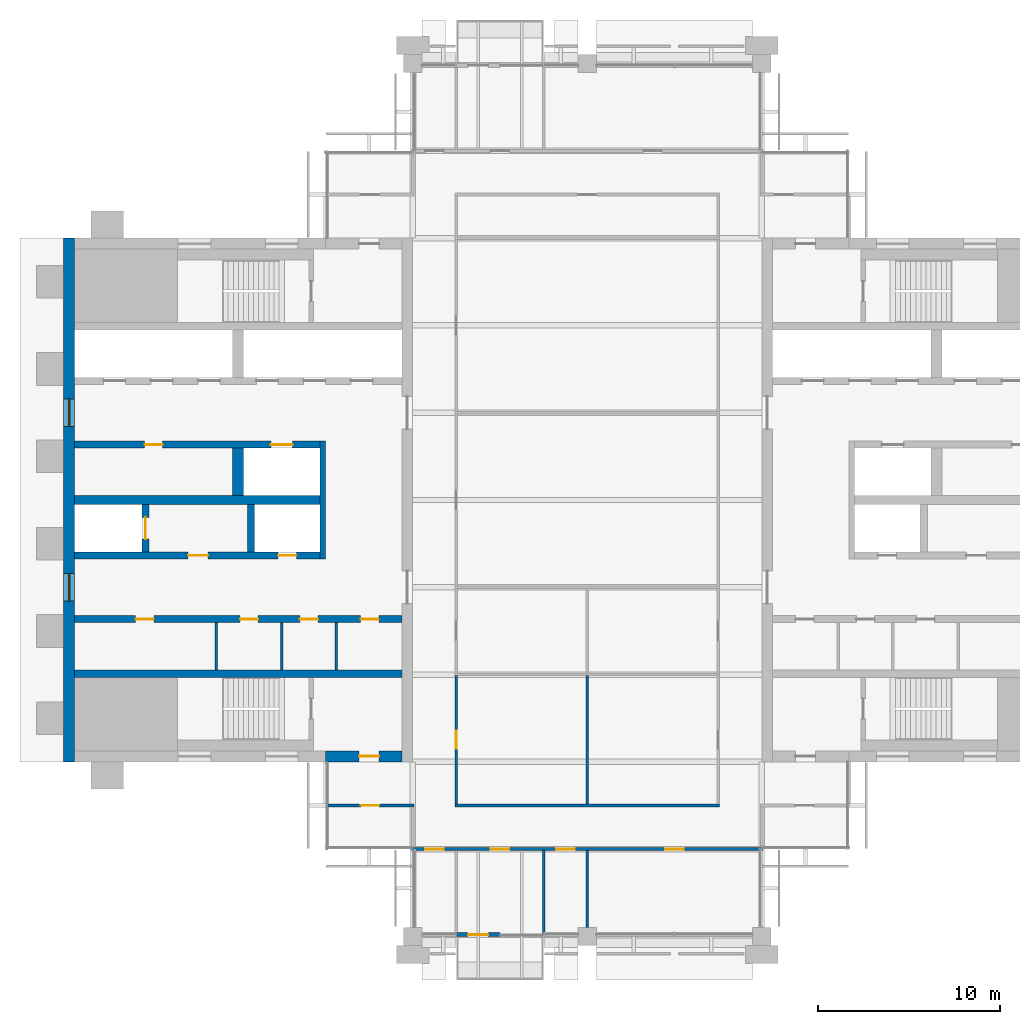
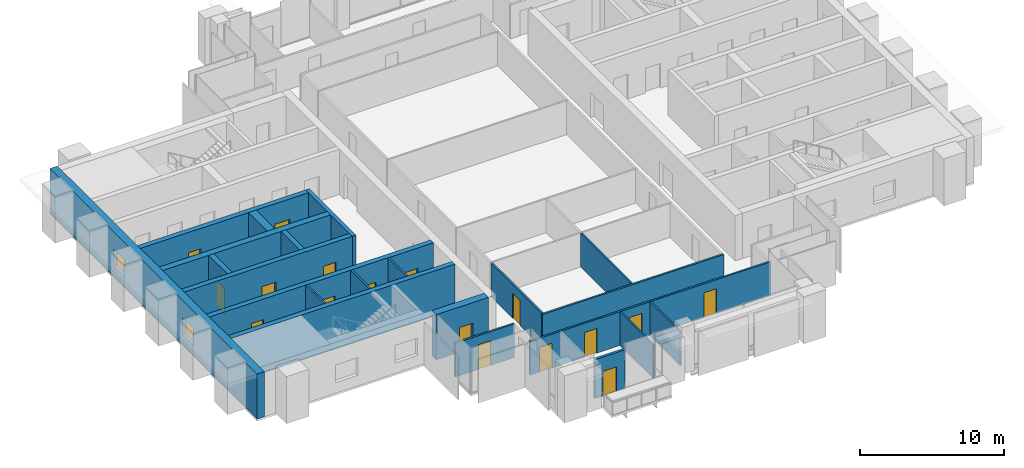
# One storey, part 8 of 13: 22 walls, 17 doors, 2 windows, 19 openings.
"""IFC4 building model written with IfcOpenShell, lengths in metres."""

from ifc_helpers import new_model, si_unit, direction, frame, frame_2d, origin, place, context, subcontext, project, spatial, rectangle, extrude, material, layer, layer_set, type_object, element, fill, save


model = new_model("IFC4")

# Units and contexts
model_context = context("Model", 3, precision=1e-05, world=origin(), true_north=direction((0.0, 1.0)))
body_context = subcontext(model_context, "Body", "Model", "MODEL_VIEW")
ifc_project = project(units=[si_unit("LENGTHUNIT", "METRE"), si_unit("AREAUNIT", "SQUARE_METRE"), si_unit("VOLUMEUNIT", "CUBIC_METRE"), si_unit("PLANEANGLEUNIT", "RADIAN"), si_unit("MASSUNIT", "GRAM", prefix="KILO")], contexts=[model_context])

# Site, building, storey
site_placement = place(None, origin())
site = spatial("IfcSite", under=ifc_project, at=site_placement, CompositionType="ELEMENT")
building_placement = place(site_placement, origin())
building = spatial("IfcBuilding", under=site, at=building_placement, Name="Baori Bourse Tower", CompositionType="ELEMENT")
storey_placement = place(building_placement, frame((0.0, 0.0, 338.300048828125)))
storey = spatial("IfcBuildingStorey", under=building, at=storey_placement, Name="L75", CompositionType="ELEMENT", Elevation=338.300048828125)

# Walls
ifc_material_1 = material(Name="Blockwork partition", Category="masonry")
ifc_layer_1 = layer(ifc_material_1, 0.14990234375)
ifc_layer_set_1 = layer_set([ifc_layer_1], Name="Core partition 150")
wall_type_1 = type_object("IfcWallType", Name="Core partition 150", PredefinedType="PARTITIONING", material=ifc_layer_set_1)
for number, where, z_axis, x_axis, name in (
    (1, (8.39990234375, 14.64990234375, 0.0), (0.0, 0.0, 1.0), (0.0, 1.0, 0.0), "Partition wall W09"),
    (2, (12.0, 14.64990234375, 0.0), (0.0, 0.0, 1.0), (0.0, 1.0, 0.0), "Partition wall W10"),
    (3, (15.0, 14.64990234375, 0.0), (0.0, 0.0, 1.0), (0.0, 1.0, 0.0), "Partition wall W11"),
):
    element("IfcWall", number, at=place(storey_placement, frame(where, z_axis=z_axis, x_axis=x_axis)), inside=storey, type_object=wall_type_1, Name=name, PredefinedType="PARTITIONING", context=body_context, shape_type="SweptSolid", body=[
        extrude(rectangle(XDim=2.60009765625, YDim=0.14990234375, at=frame_2d((1.300048828125, 0.0))), origin(), (0.0, 0.0, 1.0), 3.83984375),
    ])

# Wall, openings, windows
ifc_material_2 = material(Name="Concrete f'c 40 MPa", Category="concrete")
ifc_layer_2 = layer(ifc_material_2, 0.60009765625)
ifc_layer_set_2 = layer_set([ifc_layer_2], Name="Core wall 600 f'c 40")
wall_type_2 = type_object("IfcWallType", Name="Core wall 600 f'c 40", PredefinedType="SHEAR", material=ifc_layer_set_2)
wall_1_placement = place(storey_placement, frame((0.300048828125, 9.60009765625, 0.0), z_axis=(0.0, 0.0, 1.0), x_axis=(0.0, 1.0, 0.0)))
wall_1 = element("IfcWall", 4, at=wall_1_placement, inside=storey, type_object=wall_type_2, Name="Core wall W01", PredefinedType="SHEAR", context=body_context, shape_type="SweptSolid", body=[
    extrude(rectangle(XDim=28.7998046875, YDim=0.60009765625, at=frame_2d((14.39990234375, 0.0))), origin(), (0.0, 0.0, 1.0), 3.83984375),
])
opening_1_placement = place(wall_1_placement, frame((8.85009765625, 0.0, 0.89990234375)))
opening_1 = element("IfcOpeningElement", 5, at=opening_1_placement, cuts=wall_1, Name="Opening L75-KW101", PredefinedType="OPENING", context=body_context, shape_type="SweptSolid", body=[
    extrude(rectangle(XDim=1.5, YDim=1.5, at=frame_2d((0.75, 0.75))), frame((0.0, 0.31005859375, 0.0), z_axis=(0.0, -1.0, 0.0), x_axis=(1.0, 0.0, 0.0)), (0.0, 0.0, 1.0), 0.6201171875),
])
opening_2_placement = place(wall_1_placement, frame((18.449951171875, 0.0, 0.89990234375)))
opening_2 = element("IfcOpeningElement", 6, at=opening_2_placement, cuts=wall_1, Name="Opening L75-KW102", PredefinedType="OPENING", context=body_context, shape_type="SweptSolid", body=[
    extrude(rectangle(XDim=1.5, YDim=1.5, at=frame_2d((0.75, 0.75))), frame((0.0, 0.31005859375, 0.0), z_axis=(0.0, -1.0, 0.0), x_axis=(1.0, 0.0, 0.0)), (0.0, 0.0, 1.0), 0.6201171875),
])
ifc_material_3 = material(Name="Pale anodised aluminium", Category="aluminium")
window_type = type_object("IfcWindowType", Name="Lobby window 1500 x 1500", PartitioningType="SINGLE_PANEL", PredefinedType="WINDOW", material=ifc_material_3)
window_1_placement = place(opening_1_placement, origin())
window_1 = element("IfcWindow", 7, at=window_1_placement, inside=storey, type_object=window_type, Name="Outer wall window W L75 1", OverallHeight=1.5, OverallWidth=1.5, PartitioningType="SINGLE_PANEL", PredefinedType="WINDOW", context=body_context, shape_type="SweptSolid", body=[
    extrude(rectangle(XDim=1.5, YDim=1.5, at=frame_2d((0.75, 0.75))), frame((0.0, 0.030029296875, 0.0), z_axis=(0.0, -1.0, 0.0), x_axis=(1.0, 0.0, 0.0)), (0.0, 0.0, 1.0), 0.06005859375),
])
fill(opening_1, window_1)
window_2_placement = place(opening_2_placement, origin())
window_2 = element("IfcWindow", 8, at=window_2_placement, inside=storey, type_object=window_type, Name="Outer wall window W L75 2", OverallHeight=1.5, OverallWidth=1.5, PartitioningType="SINGLE_PANEL", PredefinedType="WINDOW", context=body_context, shape_type="SweptSolid", body=[
    extrude(rectangle(XDim=1.5, YDim=1.5, at=frame_2d((0.75, 0.75))), frame((0.0, 0.030029296875, 0.0), z_axis=(0.0, -1.0, 0.0), x_axis=(1.0, 0.0, 0.0)), (0.0, 0.0, 1.0), 0.06005859375),
])
fill(opening_2, window_2)

# Wall, opening, door
wall_2_placement = place(storey_placement, frame((18.60009765625, 9.89990234375, 0.0), z_axis=(0.0, 0.0, 1.0), x_axis=(-1.0, 0.0, 0.0)))
wall_2 = element("IfcWall", 9, at=wall_2_placement, inside=storey, type_object=wall_type_2, Name="Core wall W03", PredefinedType="SHEAR", context=body_context, shape_type="SweptSolid", body=[
    extrude(rectangle(XDim=4.2001953125, YDim=0.60009765625, at=frame_2d((2.10009765625, 0.0))), origin(), (0.0, 0.0, 1.0), 3.83984375),
])
opening_3_placement = place(wall_2_placement, frame((1.25, 0.0, 0.0)))
opening_3 = element("IfcOpeningElement", 10, at=opening_3_placement, cuts=wall_2, Name="Opening L75-D102", PredefinedType="OPENING", context=body_context, shape_type="SweptSolid", body=[
    extrude(rectangle(XDim=1.10009765625, YDim=2.10009765625, at=frame_2d((0.550048828125, 1.050048828125))), frame((0.0, 0.31005859375, 0.0), z_axis=(0.0, -1.0, 0.0), x_axis=(1.0, 0.0, 0.0)), (0.0, 0.0, 1.0), 0.6201171875),
])
ifc_material_4 = material(Name="Painted steel door", Category="steel")
door_type_1 = type_object("IfcDoorType", Name="Stair door 1100", OperationType="SINGLE_SWING_LEFT", PredefinedType="DOOR", material=ifc_material_4)
door_1_placement = place(opening_3_placement, origin())
door_1 = element("IfcDoor", 11, at=door_1_placement, inside=storey, type_object=door_type_1, Name="Stair vestibule door A W L75", OperationType="SINGLE_SWING_LEFT", OverallHeight=2.10009765625, OverallWidth=1.10009765625, PredefinedType="DOOR", context=body_context, shape_type="SweptSolid", body=[
    extrude(rectangle(XDim=1.10009765625, YDim=2.10009765625, at=frame_2d((0.550048828125, 1.050048828125))), frame((0.0, 0.02490234375, 0.0), z_axis=(0.0, -1.0, 0.0), x_axis=(1.0, 0.0, 0.0)), (0.0, 0.0, 1.0), 0.050048828125),
])
fill(opening_3, door_1)

# Wall, openings, doors
ifc_material_5 = material(Name="Gypsum board partition")
ifc_layer_3 = layer(ifc_material_5, 0.14990234375)
ifc_layer_set_3 = layer_set([ifc_layer_3], Name="Corridor partition 150")
wall_type_3 = type_object("IfcWallType", Name="Corridor partition 150", PredefinedType="PARTITIONING", material=ifc_layer_set_3)
wall_3_placement = place(storey_placement, frame((19.125, 4.800048828125, 0.0), z_axis=(0.0, 0.0, 1.0), x_axis=(1.0, 0.0, 0.0)))
wall_3 = element("IfcWall", 12, at=wall_3_placement, inside=storey, type_object=wall_type_3, Name="Partition", PredefinedType="PARTITIONING", context=body_context, shape_type="SweptSolid", body=[
    extrude(rectangle(XDim=19.35009765625, YDim=0.14990234375, at=frame_2d((9.675048828125, 0.0))), origin(), (0.0, 0.0, 1.0), 2.86962890625),
])
opening_4_placement = place(wall_3_placement, frame((0.77490234375, 0.0, 0.0)))
opening_4 = element("IfcOpeningElement", 13, at=opening_4_placement, cuts=wall_3, Name="Opening L75-D01", PredefinedType="OPENING", context=body_context, shape_type="SweptSolid", body=[
    extrude(rectangle(XDim=1.0, YDim=2.10009765625, at=frame_2d((0.5, 1.050048828125))), frame((0.0, 0.0849609375, 0.0), z_axis=(0.0, -1.0, 0.0), x_axis=(1.0, 0.0, 0.0)), (0.0, 0.0, 1.0), 0.169921875),
])
opening_5_placement = place(wall_3_placement, frame((4.375, 0.0, 0.0)))
opening_5 = element("IfcOpeningElement", 14, at=opening_5_placement, cuts=wall_3, Name="Opening L75-D02", PredefinedType="OPENING", context=body_context, shape_type="SweptSolid", body=[
    extrude(rectangle(XDim=1.0, YDim=2.10009765625, at=frame_2d((0.5, 1.050048828125))), frame((0.0, 0.0849609375, 0.0), z_axis=(0.0, -1.0, 0.0), x_axis=(1.0, 0.0, 0.0)), (0.0, 0.0, 1.0), 0.169921875),
])
opening_6_placement = place(wall_3_placement, frame((7.97509765625, 0.0, 0.0)))
opening_6 = element("IfcOpeningElement", 15, at=opening_6_placement, cuts=wall_3, Name="Opening L75-D03", PredefinedType="OPENING", context=body_context, shape_type="SweptSolid", body=[
    extrude(rectangle(XDim=1.0, YDim=2.10009765625, at=frame_2d((0.5, 1.050048828125))), frame((0.0, 0.0849609375, 0.0), z_axis=(0.0, -1.0, 0.0), x_axis=(1.0, 0.0, 0.0)), (0.0, 0.0, 1.0), 0.169921875),
])
opening_7_placement = place(wall_3_placement, frame((13.97509765625, 0.0, 0.0)))
opening_7 = element("IfcOpeningElement", 16, at=opening_7_placement, cuts=wall_3, Name="Opening L75-D04", PredefinedType="OPENING", context=body_context, shape_type="SweptSolid", body=[
    extrude(rectangle(XDim=1.0, YDim=2.10009765625, at=frame_2d((0.5, 1.050048828125))), frame((0.0, 0.0849609375, 0.0), z_axis=(0.0, -1.0, 0.0), x_axis=(1.0, 0.0, 0.0)), (0.0, 0.0, 1.0), 0.169921875),
])
ifc_material_6 = material(Name="Timber door leaf", Category="wood")
door_type_2 = type_object("IfcDoorType", Name="Door 1000 x 2100", OperationType="SINGLE_SWING_LEFT", PredefinedType="DOOR", material=ifc_material_6)
door_2_placement = place(opening_4_placement, origin())
door_2 = element("IfcDoor", 17, at=door_2_placement, inside=storey, type_object=door_type_2, Name="Door", OperationType="SINGLE_SWING_LEFT", OverallHeight=2.10009765625, OverallWidth=1.0, PredefinedType="DOOR", context=body_context, shape_type="SweptSolid", body=[
    extrude(rectangle(XDim=1.0, YDim=2.10009765625, at=frame_2d((0.5, 1.050048828125))), frame((0.0, 0.02490234375, 0.0), z_axis=(0.0, -1.0, 0.0), x_axis=(1.0, 0.0, 0.0)), (0.0, 0.0, 1.0), 0.050048828125),
])
fill(opening_4, door_2)
door_3_placement = place(opening_5_placement, origin())
door_3 = element("IfcDoor", 18, at=door_3_placement, inside=storey, type_object=door_type_2, Name="Door", OperationType="SINGLE_SWING_LEFT", OverallHeight=2.10009765625, OverallWidth=1.0, PredefinedType="DOOR", context=body_context, shape_type="SweptSolid", body=[
    extrude(rectangle(XDim=1.0, YDim=2.10009765625, at=frame_2d((0.5, 1.050048828125))), frame((0.0, 0.02490234375, 0.0), z_axis=(0.0, -1.0, 0.0), x_axis=(1.0, 0.0, 0.0)), (0.0, 0.0, 1.0), 0.050048828125),
])
fill(opening_5, door_3)
door_4_placement = place(opening_6_placement, origin())
door_4 = element("IfcDoor", 19, at=door_4_placement, inside=storey, type_object=door_type_2, Name="Door", OperationType="SINGLE_SWING_LEFT", OverallHeight=2.10009765625, OverallWidth=1.0, PredefinedType="DOOR", context=body_context, shape_type="SweptSolid", body=[
    extrude(rectangle(XDim=1.0, YDim=2.10009765625, at=frame_2d((0.5, 1.050048828125))), frame((0.0, 0.02490234375, 0.0), z_axis=(0.0, -1.0, 0.0), x_axis=(1.0, 0.0, 0.0)), (0.0, 0.0, 1.0), 0.050048828125),
])
fill(opening_6, door_4)
door_5_placement = place(opening_7_placement, origin())
door_5 = element("IfcDoor", 20, at=door_5_placement, inside=storey, type_object=door_type_2, Name="Door", OperationType="SINGLE_SWING_RIGHT", OverallHeight=2.10009765625, OverallWidth=1.0, PredefinedType="DOOR", context=body_context, shape_type="SweptSolid", body=[
    extrude(rectangle(XDim=1.0, YDim=2.10009765625, at=frame_2d((0.5, 1.050048828125))), frame((0.0, 0.02490234375, 0.0), z_axis=(0.0, -1.0, 0.0), x_axis=(1.0, 0.0, 0.0)), (0.0, 0.0, 1.0), 0.050048828125),
])
fill(opening_7, door_5)

# Wall, opening, door
wall_4_placement = place(storey_placement, frame((14.5, 7.199951171875, 0.0), z_axis=(0.0, 0.0, 1.0), x_axis=(1.0, 0.0, 0.0)))
wall_4 = element("IfcWall", 21, at=wall_4_placement, inside=storey, type_object=wall_type_3, Name="Partition", PredefinedType="PARTITIONING", context=body_context, shape_type="SweptSolid", body=[
    extrude(rectangle(XDim=4.77490234375, YDim=0.14990234375, at=frame_2d((2.387451171875, 0.0))), origin(), (0.0, 0.0, 1.0), 2.86962890625),
])
opening_8_placement = place(wall_4_placement, frame((1.85009765625, 0.0, 0.0)))
opening_8 = element("IfcOpeningElement", 22, at=opening_8_placement, cuts=wall_4, Name="Opening L75-D05", PredefinedType="OPENING", context=body_context, shape_type="SweptSolid", body=[
    extrude(rectangle(XDim=1.0, YDim=2.10009765625, at=frame_2d((0.5, 1.050048828125))), frame((0.0, 0.0849609375, 0.0), z_axis=(0.0, -1.0, 0.0), x_axis=(1.0, 0.0, 0.0)), (0.0, 0.0, 1.0), 0.169921875),
])
door_6_placement = place(opening_8_placement, origin())
door_6 = element("IfcDoor", 23, at=door_6_placement, inside=storey, type_object=door_type_2, Name="Door", OperationType="SINGLE_SWING_LEFT", OverallHeight=2.10009765625, OverallWidth=1.0, PredefinedType="DOOR", context=body_context, shape_type="SweptSolid", body=[
    extrude(rectangle(XDim=1.0, YDim=2.10009765625, at=frame_2d((0.5, 1.050048828125))), frame((0.0, 0.02490234375, 0.0), z_axis=(0.0, -1.0, 0.0), x_axis=(1.0, 0.0, 0.0)), (0.0, 0.0, 1.0), 0.050048828125),
])
fill(opening_8, door_6)

# Wall
wall_5_placement = place(storey_placement, frame((21.52490234375, 7.199951171875, 0.0), z_axis=(0.0, 0.0, 1.0), x_axis=(1.0, 0.0, 0.0)))
element("IfcWall", 24, at=wall_5_placement, inside=storey, type_object=wall_type_3, Name="Partition", PredefinedType="PARTITIONING", context=body_context, shape_type="SweptSolid", body=[
    extrude(rectangle(XDim=14.550048828125, YDim=0.14990234375, at=frame_2d((7.27490234375, 0.0))), origin(), (0.0, 0.0, 1.0), 2.86962890625),
])

# Wall, opening, door
wall_6_placement = place(storey_placement, frame((21.60009765625, 7.27490234375, 0.0), z_axis=(0.0, 0.0, 1.0), x_axis=(0.0, 1.0, 0.0)))
wall_6 = element("IfcWall", 25, at=wall_6_placement, inside=storey, type_object=wall_type_3, Name="Partition", PredefinedType="PARTITIONING", context=body_context, shape_type="SweptSolid", body=[
    extrude(rectangle(XDim=7.0625, YDim=0.14990234375, at=frame_2d((3.53125, 0.0))), origin(), (0.0, 0.0, 1.0), 2.86962890625),
])
opening_9_placement = place(wall_6_placement, frame((3.03125, 0.0, 0.0)))
opening_9 = element("IfcOpeningElement", 26, at=opening_9_placement, cuts=wall_6, Name="Opening L75-D13", PredefinedType="OPENING", context=body_context, shape_type="SweptSolid", body=[
    extrude(rectangle(XDim=1.0, YDim=2.10009765625, at=frame_2d((0.5, 1.050048828125))), frame((0.0, 0.0849609375, 0.0), z_axis=(0.0, -1.0, 0.0), x_axis=(1.0, 0.0, 0.0)), (0.0, 0.0, 1.0), 0.169921875),
])
door_7_placement = place(opening_9_placement, origin())
door_7 = element("IfcDoor", 27, at=door_7_placement, inside=storey, type_object=door_type_2, Name="Door", OperationType="SINGLE_SWING_LEFT", OverallHeight=2.10009765625, OverallWidth=1.0, PredefinedType="DOOR", context=body_context, shape_type="SweptSolid", body=[
    extrude(rectangle(XDim=1.0, YDim=2.10009765625, at=frame_2d((0.5, 1.050048828125))), frame((0.0, 0.02490234375, 0.0), z_axis=(0.0, -1.0, 0.0), x_axis=(1.0, 0.0, 0.0)), (0.0, 0.0, 1.0), 0.050048828125),
])
fill(opening_9, door_7)

ifc_material_7 = material(Name="Pale anodised aluminium", Category="aluminium")
ifc_layer_4 = layer(ifc_material_7, 0.199951171875)
ifc_layer_set_4 = layer_set([ifc_layer_4], Name="EW1 External wall bay")
wall_type_4 = type_object("IfcWallType", Name="EW1 External wall bay", PredefinedType="SOLIDWALL", material=ifc_layer_set_4)
wall_7_placement = place(storey_placement, frame((21.60009765625, 0.10009765625, 0.0), z_axis=(0.0, 0.0, 1.0), x_axis=(1.0, 0.0, 0.0)))
wall_7 = element("IfcWall", 28, at=wall_7_placement, inside=storey, type_object=wall_type_4, Name="External wall bay L75 2", PredefinedType="SOLIDWALL", context=body_context, shape_type="SweptSolid", body=[
    extrude(rectangle(XDim=2.39990234375, YDim=0.199951171875, at=frame_2d((1.199951171875, 0.0))), origin(), (0.0, 0.0, 1.0), 3.314208984375),
])
opening_10_placement = place(wall_7_placement, frame((0.64990234375, 0.0, 0.0)))
opening_10 = element("IfcOpeningElement", 29, at=opening_10_placement, cuts=wall_7, Name="Opening L75-D92", PredefinedType="OPENING", context=body_context, shape_type="SweptSolid", body=[
    extrude(rectangle(XDim=1.10009765625, YDim=2.10009765625, at=frame_2d((0.550048828125, 1.050048828125))), frame((0.0, 0.10986328125, 0.0), z_axis=(0.0, -1.0, 0.0), x_axis=(1.0, 0.0, 0.0)), (0.0, 0.0, 1.0), 0.219970703125),
])
ifc_material_8 = material(Name="Pale anodised aluminium", Category="aluminium")
door_type_3 = type_object("IfcDoorType", Name="BL1 Balcony door", OperationType="SINGLE_SWING_LEFT", PredefinedType="DOOR", material=ifc_material_8)
door_8_placement = place(opening_10_placement, origin())
door_8 = element("IfcDoor", 30, at=door_8_placement, inside=storey, type_object=door_type_3, Name="Balcony door L75 2", OperationType="SINGLE_SWING_LEFT", OverallHeight=2.10009765625, OverallWidth=1.10009765625, PredefinedType="DOOR", context=body_context, shape_type="SweptSolid", body=[
    extrude(rectangle(XDim=1.10009765625, YDim=2.10009765625, at=frame_2d((0.550048828125, 1.050048828125))), frame((0.0, 0.02490234375, 0.0), z_axis=(0.0, -1.0, 0.0), x_axis=(1.0, 0.0, 0.0)), (0.0, 0.0, 1.0), 0.050048828125),
])
fill(opening_10, door_8)

# Walls
ifc_material_9 = material(Name="Gypsum board partition")
ifc_layer_5 = layer(ifc_material_9, 0.125)
ifc_layer_set_5 = layer_set([ifc_layer_5], Name="Partition 125")
wall_type_5 = type_object("IfcWallType", Name="Partition 125", PredefinedType="PARTITIONING", material=ifc_layer_set_5)
wall_8_placement = place(storey_placement, frame((26.39990234375, 0.10009765625, 0.0), z_axis=(0.0, 0.0, 1.0), x_axis=(0.0, 1.0, 0.0)))
element("IfcWall", 31, at=wall_8_placement, inside=storey, type_object=wall_type_5, Name="Partition", PredefinedType="PARTITIONING", context=body_context, shape_type="SweptSolid", body=[
    extrude(rectangle(XDim=4.625, YDim=0.125, at=frame_2d((2.3125, 0.0))), origin(), (0.0, 0.0, 1.0), 2.86962890625),
])
wall_9_placement = place(storey_placement, frame((28.800048828125, 0.5, 0.0), z_axis=(0.0, 0.0, 1.0), x_axis=(0.0, 1.0, 0.0)))
element("IfcWall", 32, at=wall_9_placement, inside=storey, type_object=wall_type_5, Name="Partition", PredefinedType="PARTITIONING", context=body_context, shape_type="SweptSolid", body=[
    extrude(rectangle(XDim=4.22509765625, YDim=0.125, at=frame_2d((2.112548828125, 0.0))), origin(), (0.0, 0.0, 1.0), 2.86962890625),
])
wall_10_placement = place(storey_placement, frame((28.800048828125, 7.27490234375, 0.0), z_axis=(0.0, 0.0, 1.0), x_axis=(0.0, 1.0, 0.0)))
element("IfcWall", 33, at=wall_10_placement, inside=storey, type_object=wall_type_5, Name="Partition", PredefinedType="PARTITIONING", context=body_context, shape_type="SweptSolid", body=[
    extrude(rectangle(XDim=7.0625, YDim=0.125, at=frame_2d((3.53125, 0.0))), origin(), (0.0, 0.0, 1.0), 2.86962890625),
])
ifc_material_10 = material(Name="Concrete f'c 40 MPa", Category="concrete")
ifc_layer_6 = layer(ifc_material_10, 0.300048828125)
ifc_layer_set_6 = layer_set([ifc_layer_6], Name="Shaft wall 300 f'c 40")
wall_type_6 = type_object("IfcWallType", Name="Shaft wall 300 f'c 40", PredefinedType="SHEAR", material=ifc_layer_set_6)
wall_11_placement = place(storey_placement, frame((14.25, 20.75, 0.0), z_axis=(0.0, 0.0, 1.0), x_axis=(0.0, 1.0, 0.0)))
element("IfcWall", 34, at=wall_11_placement, inside=storey, type_object=wall_type_6, Name="Core wall W14", PredefinedType="SHEAR", context=body_context, shape_type="SweptSolid", body=[
    extrude(rectangle(XDim=6.5, YDim=0.300048828125, at=frame_2d((3.25, 0.0))), origin(), (0.0, 0.0, 1.0), 3.83984375),
])
ifc_material_11 = material(Name="Concrete f'c 40 MPa", Category="concrete")
ifc_layer_7 = layer(ifc_material_11, 0.39990234375)
ifc_layer_set_7 = layer_set([ifc_layer_7], Name="Shaft wall 400 f'c 40")
wall_type_7 = type_object("IfcWallType", Name="Shaft wall 400 f'c 40", PredefinedType="SHEAR", material=ifc_layer_set_7)
wall_12_placement = place(storey_placement, frame((0.60009765625, 14.449951171875, 0.0), z_axis=(0.0, 0.0, 1.0), x_axis=(1.0, 0.0, 0.0)))
element("IfcWall", 35, at=wall_12_placement, inside=storey, type_object=wall_type_7, Name="Core wall W08", PredefinedType="SHEAR", context=body_context, shape_type="SweptSolid", body=[
    extrude(rectangle(XDim=18.0, YDim=0.39990234375, at=frame_2d((9.0, 0.0))), origin(), (0.0, 0.0, 1.0), 3.83984375),
])

# Wall, openings, doors
wall_13_placement = place(storey_placement, frame((0.60009765625, 17.449951171875, 0.0), z_axis=(0.0, 0.0, 1.0), x_axis=(1.0, 0.0, 0.0)))
wall_13 = element("IfcWall", 36, at=wall_13_placement, inside=storey, type_object=wall_type_7, Name="Core wall W12", PredefinedType="SHEAR", context=body_context, shape_type="SweptSolid", body=[
    extrude(rectangle(XDim=18.0, YDim=0.39990234375, at=frame_2d((9.0, 0.0))), origin(), (0.0, 0.0, 1.0), 3.83984375),
])
opening_11_placement = place(wall_13_placement, frame((3.362548828125, 0.0, 0.0)))
opening_11 = element("IfcOpeningElement", 37, at=opening_11_placement, cuts=wall_13, Name="Opening L75-D109", PredefinedType="OPENING", context=body_context, shape_type="SweptSolid", body=[
    extrude(rectangle(XDim=1.0, YDim=2.10009765625, at=frame_2d((0.5, 1.050048828125))), frame((0.0, 0.2099609375, 0.0), z_axis=(0.0, -1.0, 0.0), x_axis=(1.0, 0.0, 0.0)), (0.0, 0.0, 1.0), 0.419921875),
])
opening_12_placement = place(wall_13_placement, frame((9.10009765625, 0.0, 0.0)))
opening_12 = element("IfcOpeningElement", 38, at=opening_12_placement, cuts=wall_13, Name="Opening L75-D110", PredefinedType="OPENING", context=body_context, shape_type="SweptSolid", body=[
    extrude(rectangle(XDim=1.0, YDim=2.10009765625, at=frame_2d((0.5, 1.050048828125))), frame((0.0, 0.2099609375, 0.0), z_axis=(0.0, -1.0, 0.0), x_axis=(1.0, 0.0, 0.0)), (0.0, 0.0, 1.0), 0.419921875),
])
opening_13_placement = place(wall_13_placement, frame((12.39990234375, 0.0, 0.0)))
opening_13 = element("IfcOpeningElement", 39, at=opening_13_placement, cuts=wall_13, Name="Opening L75-D111", PredefinedType="OPENING", context=body_context, shape_type="SweptSolid", body=[
    extrude(rectangle(XDim=1.0, YDim=2.10009765625, at=frame_2d((0.5, 1.050048828125))), frame((0.0, 0.2099609375, 0.0), z_axis=(0.0, -1.0, 0.0), x_axis=(1.0, 0.0, 0.0)), (0.0, 0.0, 1.0), 0.419921875),
])
opening_14_placement = place(wall_13_placement, frame((15.737548828125, 0.0, 0.0)))
opening_14 = element("IfcOpeningElement", 40, at=opening_14_placement, cuts=wall_13, Name="Opening L75-D112", PredefinedType="OPENING", context=body_context, shape_type="SweptSolid", body=[
    extrude(rectangle(XDim=1.0, YDim=2.10009765625, at=frame_2d((0.5, 1.050048828125))), frame((0.0, 0.2099609375, 0.0), z_axis=(0.0, -1.0, 0.0), x_axis=(1.0, 0.0, 0.0)), (0.0, 0.0, 1.0), 0.419921875),
])
ifc_material_12 = material(Name="Painted steel door", Category="steel")
door_type_4 = type_object("IfcDoorType", Name="Core door 1000", OperationType="SINGLE_SWING_LEFT", PredefinedType="DOOR", material=ifc_material_12)
door_9_placement = place(opening_11_placement, origin())
door_9 = element("IfcDoor", 41, at=door_9_placement, inside=storey, type_object=door_type_4, Name="Men'S Wc door W L75", OperationType="SINGLE_SWING_LEFT", OverallHeight=2.10009765625, OverallWidth=1.0, PredefinedType="DOOR", context=body_context, shape_type="SweptSolid", body=[
    extrude(rectangle(XDim=1.0, YDim=2.10009765625, at=frame_2d((0.5, 1.050048828125))), frame((0.0, 0.02490234375, 0.0), z_axis=(0.0, -1.0, 0.0), x_axis=(1.0, 0.0, 0.0)), (0.0, 0.0, 1.0), 0.050048828125),
])
fill(opening_11, door_9)
door_10_placement = place(opening_12_placement, origin())
door_10 = element("IfcDoor", 42, at=door_10_placement, inside=storey, type_object=door_type_4, Name="Women'S Wc door W L75", OperationType="SINGLE_SWING_LEFT", OverallHeight=2.10009765625, OverallWidth=1.0, PredefinedType="DOOR", context=body_context, shape_type="SweptSolid", body=[
    extrude(rectangle(XDim=1.0, YDim=2.10009765625, at=frame_2d((0.5, 1.050048828125))), frame((0.0, 0.02490234375, 0.0), z_axis=(0.0, -1.0, 0.0), x_axis=(1.0, 0.0, 0.0)), (0.0, 0.0, 1.0), 0.050048828125),
])
fill(opening_12, door_10)
door_11_placement = place(opening_13_placement, origin())
door_11 = element("IfcDoor", 43, at=door_11_placement, inside=storey, type_object=door_type_4, Name="Accessible Wc door W L75", OperationType="SINGLE_SWING_LEFT", OverallHeight=2.10009765625, OverallWidth=1.0, PredefinedType="DOOR", context=body_context, shape_type="SweptSolid", body=[
    extrude(rectangle(XDim=1.0, YDim=2.10009765625, at=frame_2d((0.5, 1.050048828125))), frame((0.0, 0.02490234375, 0.0), z_axis=(0.0, -1.0, 0.0), x_axis=(1.0, 0.0, 0.0)), (0.0, 0.0, 1.0), 0.050048828125),
])
fill(opening_13, door_11)
door_12_placement = place(opening_14_placement, origin())
door_12 = element("IfcDoor", 44, at=door_12_placement, inside=storey, type_object=door_type_4, Name="Pantry door W L75", OperationType="SINGLE_SWING_LEFT", OverallHeight=2.10009765625, OverallWidth=1.0, PredefinedType="DOOR", context=body_context, shape_type="SweptSolid", body=[
    extrude(rectangle(XDim=1.0, YDim=2.10009765625, at=frame_2d((0.5, 1.050048828125))), frame((0.0, 0.02490234375, 0.0), z_axis=(0.0, -1.0, 0.0), x_axis=(1.0, 0.0, 0.0)), (0.0, 0.0, 1.0), 0.050048828125),
])
fill(opening_14, door_12)

wall_14_placement = place(storey_placement, frame((0.60009765625, 20.949951171875, 0.0), z_axis=(0.0, 0.0, 1.0), x_axis=(1.0, 0.0, 0.0)))
wall_14 = element("IfcWall", 45, at=wall_14_placement, inside=storey, type_object=wall_type_7, Name="Core wall W13", PredefinedType="SHEAR", context=body_context, shape_type="SweptSolid", body=[
    extrude(rectangle(XDim=13.5, YDim=0.39990234375, at=frame_2d((6.75, 0.0))), origin(), (0.0, 0.0, 1.0), 3.83984375),
])
opening_15_placement = place(wall_14_placement, frame((6.25, 0.0, 0.0)))
opening_15 = element("IfcOpeningElement", 46, at=opening_15_placement, cuts=wall_14, Name="Opening L75-D105", PredefinedType="OPENING", context=body_context, shape_type="SweptSolid", body=[
    extrude(rectangle(XDim=1.10009765625, YDim=2.10009765625, at=frame_2d((0.550048828125, 1.050048828125))), frame((0.0, 0.2099609375, 0.0), z_axis=(0.0, -1.0, 0.0), x_axis=(1.0, 0.0, 0.0)), (0.0, 0.0, 1.0), 0.419921875),
])
opening_16_placement = place(wall_14_placement, frame((11.199951171875, 0.0, 0.0)))
opening_16 = element("IfcOpeningElement", 47, at=opening_16_placement, cuts=wall_14, Name="Opening L75-D106", PredefinedType="OPENING", context=body_context, shape_type="SweptSolid", body=[
    extrude(rectangle(XDim=1.0, YDim=2.10009765625, at=frame_2d((0.5, 1.050048828125))), frame((0.0, 0.2099609375, 0.0), z_axis=(0.0, -1.0, 0.0), x_axis=(1.0, 0.0, 0.0)), (0.0, 0.0, 1.0), 0.419921875),
])
ifc_material_13 = material(Name="Painted steel door", Category="steel")
door_type_5 = type_object("IfcDoorType", Name="Lobby door 1100", OperationType="SINGLE_SWING_LEFT", PredefinedType="DOOR", material=ifc_material_13)
door_13_placement = place(opening_15_placement, origin())
door_13 = element("IfcDoor", 48, at=door_13_placement, inside=storey, type_object=door_type_5, Name="Firefighting lobby door W L75", OperationType="SINGLE_SWING_LEFT", OverallHeight=2.10009765625, OverallWidth=1.10009765625, PredefinedType="DOOR", context=body_context, shape_type="SweptSolid", body=[
    extrude(rectangle(XDim=1.10009765625, YDim=2.10009765625, at=frame_2d((0.550048828125, 1.050048828125))), frame((0.0, 0.02490234375, 0.0), z_axis=(0.0, -1.0, 0.0), x_axis=(1.0, 0.0, 0.0)), (0.0, 0.0, 1.0), 0.050048828125),
])
fill(opening_15, door_13)
ifc_material_14 = material(Name="Painted steel door", Category="steel")
door_type_6 = type_object("IfcDoorType", Name="Shaft door 1000", OperationType="SINGLE_SWING_LEFT", PredefinedType="DOOR", material=ifc_material_14)
door_14_placement = place(opening_16_placement, origin())
door_14 = element("IfcDoor", 49, at=door_14_placement, inside=storey, type_object=door_type_6, Name="Riser room door W L75", OperationType="SINGLE_SWING_LEFT", OverallHeight=2.10009765625, OverallWidth=1.0, PredefinedType="DOOR", context=body_context, shape_type="SweptSolid", body=[
    extrude(rectangle(XDim=1.0, YDim=2.10009765625, at=frame_2d((0.5, 1.050048828125))), frame((0.0, 0.02490234375, 0.0), z_axis=(0.0, -1.0, 0.0), x_axis=(1.0, 0.0, 0.0)), (0.0, 0.0, 1.0), 0.050048828125),
])
fill(opening_16, door_14)

# Wall, opening, door
wall_15_placement = place(storey_placement, frame((4.5, 21.14990234375, 0.0), z_axis=(0.0, 0.0, 1.0), x_axis=(0.0, 1.0, 0.0)))
wall_15 = element("IfcWall", 50, at=wall_15_placement, inside=storey, type_object=wall_type_7, Name="Core wall W15", PredefinedType="SHEAR", context=body_context, shape_type="SweptSolid", body=[
    extrude(rectangle(XDim=2.60009765625, YDim=0.39990234375, at=frame_2d((1.300048828125, 0.0))), origin(), (0.0, 0.0, 1.0), 3.83984375),
])
opening_17_placement = place(wall_15_placement, frame((0.699951171875, 0.0, 0.0)))
opening_17 = element("IfcOpeningElement", 51, at=opening_17_placement, cuts=wall_15, Name="Opening L75-D121", PredefinedType="OPENING", context=body_context, shape_type="SweptSolid", body=[
    extrude(rectangle(XDim=1.199951171875, YDim=2.10009765625, at=frame_2d((0.60009765625, 1.050048828125))), frame((0.0, 0.2099609375, 0.0), z_axis=(0.0, -1.0, 0.0), x_axis=(1.0, 0.0, 0.0)), (0.0, 0.0, 1.0), 0.419921875),
])
ifc_material_15 = material(Name="Stainless steel door", Category="steel")
door_type_7 = type_object("IfcDoorType", Name="Lift landing door", OperationType="DOUBLE_DOOR_SLIDING", PredefinedType="DOOR", material=ifc_material_15)
door_15_placement = place(opening_17_placement, origin())
door_15 = element("IfcDoor", 52, at=door_15_placement, inside=storey, type_object=door_type_7, Name="Lift landing door FF1 W L75", OperationType="DOUBLE_DOOR_SLIDING", OverallHeight=2.10009765625, OverallWidth=1.199951171875, PredefinedType="DOOR", context=body_context, shape_type="SweptSolid", body=[
    extrude(rectangle(XDim=1.199951171875, YDim=2.10009765625, at=frame_2d((0.60009765625, 1.050048828125))), frame((0.0, 0.02490234375, 0.0), z_axis=(0.0, -1.0, 0.0), x_axis=(1.0, 0.0, 0.0)), (0.0, 0.0, 1.0), 0.050048828125),
])
fill(opening_17, door_15)

# Wall
wall_16_placement = place(storey_placement, frame((10.300048828125, 21.14990234375, 0.0), z_axis=(0.0, 0.0, 1.0), x_axis=(0.0, 1.0, 0.0)))
element("IfcWall", 53, at=wall_16_placement, inside=storey, type_object=wall_type_7, Name="Core wall W16", PredefinedType="SHEAR", context=body_context, shape_type="SweptSolid", body=[
    extrude(rectangle(XDim=2.60009765625, YDim=0.39990234375, at=frame_2d((1.300048828125, 0.0))), origin(), (0.0, 0.0, 1.0), 3.83984375),
])

# Wall, openings, doors
wall_17_placement = place(storey_placement, frame((0.60009765625, 27.050048828125, 0.0), z_axis=(0.0, 0.0, 1.0), x_axis=(1.0, 0.0, 0.0)))
wall_17 = element("IfcWall", 54, at=wall_17_placement, inside=storey, type_object=wall_type_7, Name="Core wall W19", PredefinedType="SHEAR", context=body_context, shape_type="SweptSolid", body=[
    extrude(rectangle(XDim=13.5, YDim=0.39990234375, at=frame_2d((6.75, 0.0))), origin(), (0.0, 0.0, 1.0), 3.83984375),
])
opening_18_placement = place(wall_17_placement, frame((3.85009765625, 0.0, 0.0)))
opening_18 = element("IfcOpeningElement", 55, at=opening_18_placement, cuts=wall_17, Name="Opening L75-D113", PredefinedType="OPENING", context=body_context, shape_type="SweptSolid", body=[
    extrude(rectangle(XDim=1.0, YDim=2.10009765625, at=frame_2d((0.5, 1.050048828125))), frame((0.0, 0.2099609375, 0.0), z_axis=(0.0, -1.0, 0.0), x_axis=(1.0, 0.0, 0.0)), (0.0, 0.0, 1.0), 0.419921875),
])
opening_19_placement = place(wall_17_placement, frame((10.800048828125, 0.0, 0.0)))
opening_19 = element("IfcOpeningElement", 56, at=opening_19_placement, cuts=wall_17, Name="Opening L75-D120", PredefinedType="OPENING", context=body_context, shape_type="SweptSolid", body=[
    extrude(rectangle(XDim=1.199951171875, YDim=2.10009765625, at=frame_2d((0.60009765625, 1.050048828125))), frame((0.0, 0.2099609375, 0.0), z_axis=(0.0, -1.0, 0.0), x_axis=(1.0, 0.0, 0.0)), (0.0, 0.0, 1.0), 0.419921875),
])
door_16_placement = place(opening_18_placement, origin())
door_16 = element("IfcDoor", 57, at=door_16_placement, inside=storey, type_object=door_type_4, Name="Copy Room door W L75", OperationType="SINGLE_SWING_LEFT", OverallHeight=2.10009765625, OverallWidth=1.0, PredefinedType="DOOR", context=body_context, shape_type="SweptSolid", body=[
    extrude(rectangle(XDim=1.0, YDim=2.10009765625, at=frame_2d((0.5, 1.050048828125))), frame((0.0, 0.02490234375, 0.0), z_axis=(0.0, -1.0, 0.0), x_axis=(1.0, 0.0, 0.0)), (0.0, 0.0, 1.0), 0.050048828125),
])
fill(opening_18, door_16)
door_17_placement = place(opening_19_placement, origin())
door_17 = element("IfcDoor", 58, at=door_17_placement, inside=storey, type_object=door_type_7, Name="Lift landing door SV1 W L75", OperationType="DOUBLE_DOOR_SLIDING", OverallHeight=2.10009765625, OverallWidth=1.199951171875, PredefinedType="DOOR", context=body_context, shape_type="SweptSolid", body=[
    extrude(rectangle(XDim=1.199951171875, YDim=2.10009765625, at=frame_2d((0.60009765625, 1.050048828125))), frame((0.0, 0.02490234375, 0.0), z_axis=(0.0, -1.0, 0.0), x_axis=(1.0, 0.0, 0.0)), (0.0, 0.0, 1.0), 0.050048828125),
])
fill(opening_19, door_17)

# Walls
ifc_material_16 = material(Name="Concrete f'c 40 MPa", Category="concrete")
ifc_layer_8 = layer(ifc_material_16, 0.5)
ifc_layer_set_8 = layer_set([ifc_layer_8], Name="Shaft wall 500 f'c 40")
wall_type_8 = type_object("IfcWallType", Name="Shaft wall 500 f'c 40", PredefinedType="SHEAR", material=ifc_layer_set_8)
wall_18_placement = place(storey_placement, frame((0.60009765625, 24.0, 0.0), z_axis=(0.0, 0.0, 1.0), x_axis=(1.0, 0.0, 0.0)))
element("IfcWall", 59, at=wall_18_placement, inside=storey, type_object=wall_type_8, Name="Core wall W17", PredefinedType="SHEAR", context=body_context, shape_type="SweptSolid", body=[
    extrude(rectangle(XDim=13.5, YDim=0.5, at=frame_2d((6.75, 0.0))), origin(), (0.0, 0.0, 1.0), 3.83984375),
])
ifc_material_17 = material(Name="Concrete f'c 40 MPa", Category="concrete")
ifc_layer_9 = layer(ifc_material_17, 0.60009765625)
ifc_layer_set_9 = layer_set([ifc_layer_9], Name="Shaft wall 600 f'c 40")
wall_type_9 = type_object("IfcWallType", Name="Shaft wall 600 f'c 40", PredefinedType="SHEAR", material=ifc_layer_set_9)
wall_19_placement = place(storey_placement, frame((9.60009765625, 24.25, 0.0), z_axis=(0.0, 0.0, 1.0), x_axis=(0.0, 1.0, 0.0)))
element("IfcWall", 60, at=wall_19_placement, inside=storey, type_object=wall_type_9, Name="Core wall W18", PredefinedType="SHEAR", context=body_context, shape_type="SweptSolid", body=[
    extrude(rectangle(XDim=2.60009765625, YDim=0.60009765625, at=frame_2d((1.300048828125, 0.0))), origin(), (0.0, 0.0, 1.0), 3.83984375),
])

save(model, "model.ifc")
